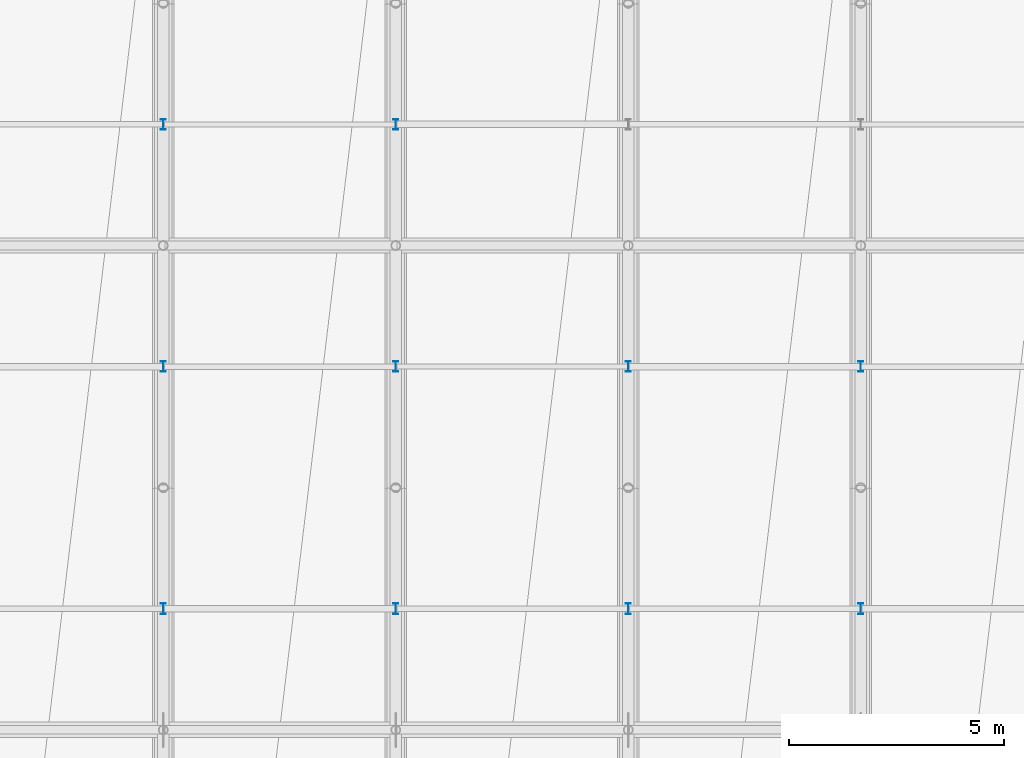
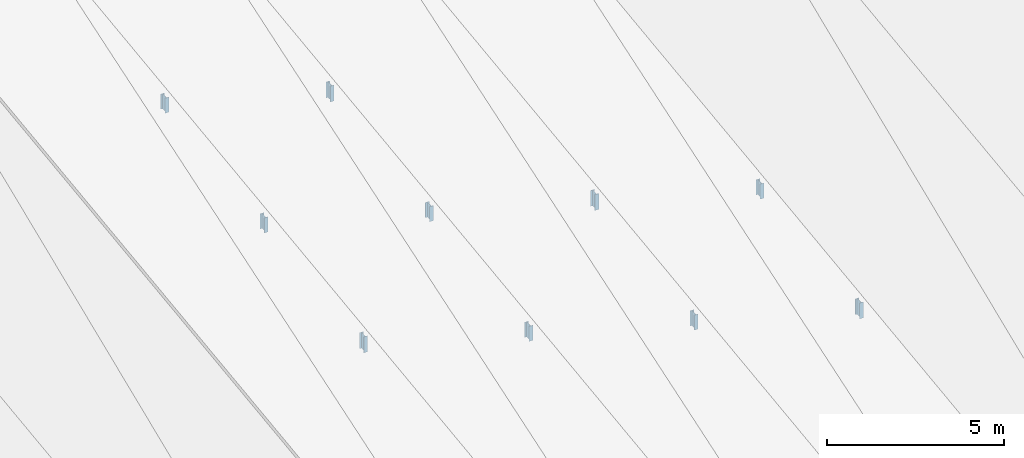
# One storey, part 67 of 109: 10 members.
"""IFC4 building model written with IfcOpenShell, lengths in metres."""

from ifc_helpers import new_model, si_unit, direction, frame, origin, origin_2d, place, context, subcontext, project, spatial, i_section, extrude, material, material_profile, profile_set, type_object, element, save


model = new_model("IFC4")

# Units and contexts
model_context = context("Model", 3, precision=1e-05, world=origin(), true_north=direction((0.0, 1.0)))
body_context = subcontext(model_context, "Body", "Model", "MODEL_VIEW")
ifc_project = project(units=[si_unit("LENGTHUNIT", "METRE"), si_unit("AREAUNIT", "SQUARE_METRE"), si_unit("VOLUMEUNIT", "CUBIC_METRE"), si_unit("PLANEANGLEUNIT", "RADIAN"), si_unit("MASSUNIT", "GRAM", prefix="KILO")], contexts=[model_context])

# Site, building, storey
site_placement = place(None, origin())
site = spatial("IfcSite", under=ifc_project, at=site_placement, CompositionType="ELEMENT")
building_placement = place(site_placement, origin())
building = spatial("IfcBuilding", under=site, at=building_placement, Name="Suirenkawa Promenade Aquatics Centre", CompositionType="ELEMENT")
storey_placement = place(building_placement, frame((0.0, 0.0, 22.800048828125)))
storey = spatial("IfcBuildingStorey", under=building, at=storey_placement, Name="ROOF", CompositionType="ELEMENT", Elevation=22.800048828125)

# Members
ifc_material = material(Name="Steel IS 2062 E350 (Grade 350)", Category="steel")
ifc_material_profile = material_profile(ifc_material, i_section(OverallWidth=0.125, OverallDepth=0.25, WebThickness=0.007080078125, FlangeThickness=0.012939453125, at=origin_2d()), Name="ISMB 250", Category="steel")
ifc_profile_set = profile_set([ifc_material_profile], Name="Steel IS 2062 E350 (Grade 350)")
member_type = type_object("IfcMemberType", Name="MT-WEB-CHS168", PredefinedType="BRACE", material=ifc_profile_set)
member_1_placement = place(storey_placement, frame((73.800048828125, 75.712890625, -7.45703125), z_axis=(0.0, 0.0, 1.0), x_axis=(1.0, 0.0, 0.0)))
element("IfcMember", 1, at=member_1_placement, inside=storey, type_object=member_type, Name="ROOF TRUSS Purlin cleat post TD-03 MB-1842", PredefinedType="BRACE", context=body_context, shape_type="SweptSolid", body=[
    extrude(i_section(OverallWidth=0.125, OverallDepth=0.25, WebThickness=0.007080078125, FlangeThickness=0.012939453125, at=origin_2d()), origin(), (0.0, 0.0, 1.0), 0.5458984375),
])
member_2_placement = place(storey_placement, frame((73.800048828125, 81.337890625, -6.73193359375), z_axis=(0.0, 0.0, 1.0), x_axis=(1.0, 0.0, 0.0)))
element("IfcMember", 2, at=member_2_placement, inside=storey, type_object=member_type, Name="ROOF TRUSS Purlin cleat post TD-03 MB-1844", PredefinedType="BRACE", context=body_context, shape_type="SweptSolid", body=[
    extrude(i_section(OverallWidth=0.125, OverallDepth=0.25, WebThickness=0.007080078125, FlangeThickness=0.012939453125, at=origin_2d()), origin(), (0.0, 0.0, 1.0), 0.518798828125),
])
member_3_placement = place(storey_placement, frame((73.800048828125, 86.962890625, -6.007080078125), z_axis=(0.0, 0.0, 1.0), x_axis=(1.0, 0.0, 0.0)))
element("IfcMember", 3, at=member_3_placement, inside=storey, type_object=member_type, Name="ROOF TRUSS Purlin cleat post TD-03 MB-1846", PredefinedType="BRACE", context=body_context, shape_type="SweptSolid", body=[
    extrude(i_section(OverallWidth=0.125, OverallDepth=0.25, WebThickness=0.007080078125, FlangeThickness=0.012939453125, at=origin_2d()), origin(), (0.0, 0.0, 1.0), 0.52001953125),
])
member_4_placement = place(storey_placement, frame((79.199951171875, 75.712890625, -8.95703125), z_axis=(0.0, 0.0, 1.0), x_axis=(1.0, 0.0, 0.0)))
element("IfcMember", 4, at=member_4_placement, inside=storey, type_object=member_type, Name="ROOF TRUSS Purlin cleat post TD-03 MB-1878", PredefinedType="BRACE", context=body_context, shape_type="SweptSolid", body=[
    extrude(i_section(OverallWidth=0.125, OverallDepth=0.25, WebThickness=0.007080078125, FlangeThickness=0.012939453125, at=origin_2d()), origin(), (0.0, 0.0, 1.0), 0.51904296875),
])
member_5_placement = place(storey_placement, frame((79.199951171875, 81.337890625, -8.23193359375), z_axis=(0.0, 0.0, 1.0), x_axis=(1.0, 0.0, 0.0)))
element("IfcMember", 5, at=member_5_placement, inside=storey, type_object=member_type, Name="ROOF TRUSS Purlin cleat post TD-03 MB-1880", PredefinedType="BRACE", context=body_context, shape_type="SweptSolid", body=[
    extrude(i_section(OverallWidth=0.125, OverallDepth=0.25, WebThickness=0.007080078125, FlangeThickness=0.012939453125, at=origin_2d()), origin(), (0.0, 0.0, 1.0), 0.519775390625),
])
member_6_placement = place(storey_placement, frame((79.199951171875, 86.962890625, -7.507080078125), z_axis=(0.0, 0.0, 1.0), x_axis=(1.0, 0.0, 0.0)))
element("IfcMember", 6, at=member_6_placement, inside=storey, type_object=member_type, Name="ROOF TRUSS Purlin cleat post TD-03 MB-1882", PredefinedType="BRACE", context=body_context, shape_type="SweptSolid", body=[
    extrude(i_section(OverallWidth=0.125, OverallDepth=0.25, WebThickness=0.007080078125, FlangeThickness=0.012939453125, at=origin_2d()), origin(), (0.0, 0.0, 1.0), 0.546142578125),
])
member_7_placement = place(storey_placement, frame((84.60009765625, 75.712890625, -10.45703125), z_axis=(0.0, 0.0, 1.0), x_axis=(1.0, 0.0, 0.0)))
element("IfcMember", 7, at=member_7_placement, inside=storey, type_object=member_type, Name="ROOF TRUSS Purlin cleat post TD-03 MB-1914", PredefinedType="BRACE", context=body_context, shape_type="SweptSolid", body=[
    extrude(i_section(OverallWidth=0.125, OverallDepth=0.25, WebThickness=0.007080078125, FlangeThickness=0.012939453125, at=origin_2d()), origin(), (0.0, 0.0, 1.0), 0.52099609375),
])
for number, where, z_axis, x_axis, name in (
    (8, (84.60009765625, 81.337890625, -9.73193359375), (0.0, 0.0, 1.0), (1.0, 0.0, 0.0), "ROOF TRUSS Purlin cleat post TD-03 MB-1916"),
    (9, (90.0, 75.712890625, -11.95703125), (0.0, 0.0, 1.0), (1.0, 0.0, 0.0), "ROOF TRUSS Purlin cleat post TD-03 MB-1950"),
):
    element("IfcMember", number, at=place(storey_placement, frame(where, z_axis=z_axis, x_axis=x_axis)), inside=storey, type_object=member_type, Name=name, PredefinedType="BRACE", context=body_context, shape_type="SweptSolid", body=[
        extrude(i_section(OverallWidth=0.125, OverallDepth=0.25, WebThickness=0.007080078125, FlangeThickness=0.012939453125, at=origin_2d()), origin(), (0.0, 0.0, 1.0), 0.5458984375),
    ])
member_8_placement = place(storey_placement, frame((90.0, 81.337890625, -11.23193359375), z_axis=(0.0, 0.0, 1.0), x_axis=(1.0, 0.0, 0.0)))
element("IfcMember", 10, at=member_8_placement, inside=storey, type_object=member_type, Name="ROOF TRUSS Purlin cleat post TD-03 MB-1952", PredefinedType="BRACE", context=body_context, shape_type="SweptSolid", body=[
    extrude(i_section(OverallWidth=0.125, OverallDepth=0.25, WebThickness=0.007080078125, FlangeThickness=0.012939453125, at=origin_2d()), origin(), (0.0, 0.0, 1.0), 0.518798828125),
])

save(model, "model.ifc")
